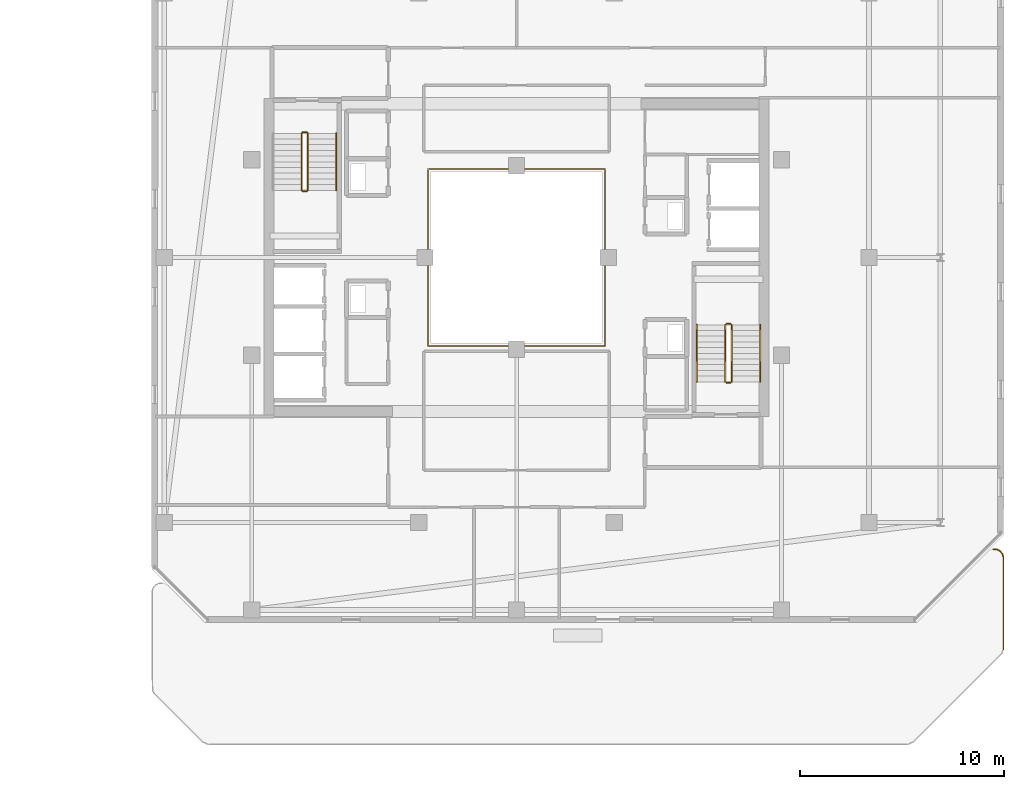
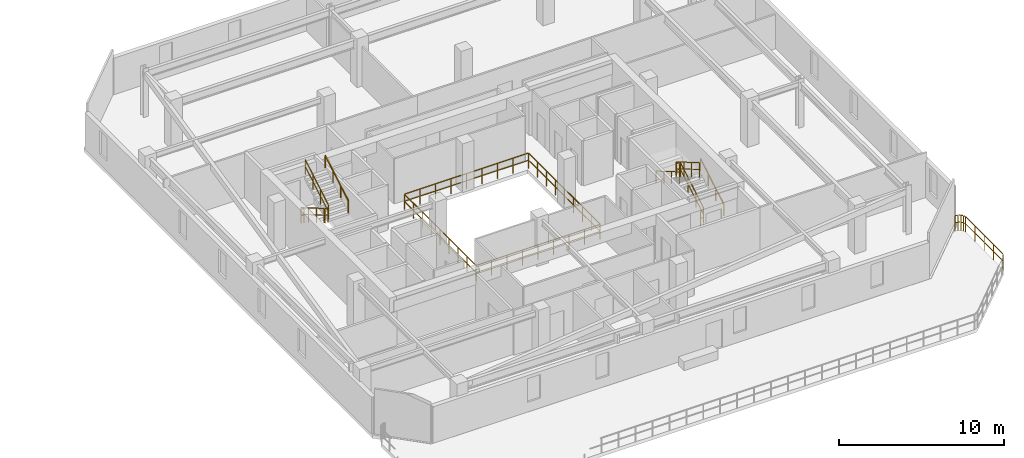
# One storey, part 31 of 31: 13 railings.
"""IFC4 building model written with IfcOpenShell, lengths in metres."""

from ifc_helpers import new_model, si_unit, direction, frame, origin, origin_2d, place, context, subcontext, project, spatial, rectangle, extrude, material, type_object, element, save


model = new_model("IFC4")

# Units and contexts
model_context = context("Model", 3, precision=1e-05, world=origin(), true_north=direction((0.0, 1.0)))
body_context = subcontext(model_context, "Body", "Model", "MODEL_VIEW")
ifc_project = project(units=[si_unit("LENGTHUNIT", "METRE"), si_unit("AREAUNIT", "SQUARE_METRE"), si_unit("VOLUMEUNIT", "CUBIC_METRE"), si_unit("PLANEANGLEUNIT", "RADIAN"), si_unit("MASSUNIT", "GRAM", prefix="KILO")], contexts=[model_context])

# Site, building, storey
site_placement = place(None, origin())
site = spatial("IfcSite", under=ifc_project, at=site_placement, CompositionType="ELEMENT")
building_placement = place(site_placement, origin())
building = spatial("IfcBuilding", under=site, at=building_placement, Name="Thornwick Lancets Civic Towers", CompositionType="ELEMENT")
storey_placement = place(building_placement, frame((0.0, 0.0, 254.699951171875)))
storey = spatial("IfcBuildingStorey", under=building, at=storey_placement, Name="L68", CompositionType="ELEMENT", Elevation=254.699951171875)

# Railings
ifc_material_1 = material(Name="Laminated glass and bronze steel S355", Category="steel")
railing_type_1 = type_object("IfcRailingType", Name="RAIL_ATRIUM_GUARD", PredefinedType="BALUSTRADE", material=ifc_material_1)
railing_1_placement = place(storey_placement, frame((84.159912109375, 22.659912109375, 0.0)))
element("IfcRailing", 1, at=railing_1_placement, inside=storey, type_object=railing_type_1, Name="L68 Tower B Central Atrium Guard Balustrade", PredefinedType="BALUSTRADE", context=body_context, shape_type="SweptSolid", body=[
    extrude(rectangle(XDim=0.048095703125, YDim=0.048095703125, at=origin_2d()), frame((0.0, 0.0, 1.1259765625), z_axis=(1.0, 0.0, 0.0), x_axis=(0.0, 1.0, 0.0)), (0.0, 0.0, 1.0), 8.64892578125),
    extrude(rectangle(XDim=0.0419921875, YDim=0.0419921875, at=origin_2d()), frame((0.03759765625, 0.0, 0.597900390625), z_axis=(1.0, 0.0, 0.0), x_axis=(0.0, 1.0, 0.0)), (0.0, 0.0, 1.0), 1.010009765625),
    extrude(rectangle(XDim=0.0419921875, YDim=0.0419921875, at=origin_2d()), frame((1.12255859375, 0.0, 0.597900390625), z_axis=(1.0, 0.0, 0.0), x_axis=(0.0, 1.0, 0.0)), (0.0, 0.0, 1.0), 1.010009765625),
    extrude(rectangle(XDim=0.0419921875, YDim=0.0419921875, at=origin_2d()), frame((2.20751953125, 0.0, 0.597900390625), z_axis=(1.0, 0.0, 0.0), x_axis=(0.0, 1.0, 0.0)), (0.0, 0.0, 1.0), 1.010009765625),
    extrude(rectangle(XDim=0.0419921875, YDim=0.0419921875, at=origin_2d()), frame((3.29248046875, 0.0, 0.597900390625), z_axis=(1.0, 0.0, 0.0), x_axis=(0.0, 1.0, 0.0)), (0.0, 0.0, 1.0), 1.010009765625),
    extrude(rectangle(XDim=0.0419921875, YDim=0.0419921875, at=origin_2d()), frame((4.377685546875, 0.0, 0.597900390625), z_axis=(1.0, 0.0, 0.0), x_axis=(0.0, 1.0, 0.0)), (0.0, 0.0, 1.0), 1.010009765625),
    extrude(rectangle(XDim=0.0419921875, YDim=0.0419921875, at=origin_2d()), frame((5.462646484375, 0.0, 0.597900390625), z_axis=(1.0, 0.0, 0.0), x_axis=(0.0, 1.0, 0.0)), (0.0, 0.0, 1.0), 1.010009765625),
    extrude(rectangle(XDim=0.0419921875, YDim=0.0419921875, at=origin_2d()), frame((6.547607421875, 0.0, 0.597900390625), z_axis=(1.0, 0.0, 0.0), x_axis=(0.0, 1.0, 0.0)), (0.0, 0.0, 1.0), 1.010009765625),
    extrude(rectangle(XDim=0.0419921875, YDim=0.0419921875, at=origin_2d()), frame((7.632568359375, 0.0, 0.597900390625), z_axis=(1.0, 0.0, 0.0), x_axis=(0.0, 1.0, 0.0)), (0.0, 0.0, 1.0), 1.010009765625),
    extrude(rectangle(XDim=0.048095703125, YDim=0.048095703125, at=origin_2d()), frame((8.68017578125, 0.03125, 1.1259765625), z_axis=(0.0, 1.0, 0.0), x_axis=(-1.0, 0.0, 0.0)), (0.0, 0.0, 1.0), 8.61767578125),
    extrude(rectangle(XDim=0.0419921875, YDim=0.0419921875, at=origin_2d()), frame((8.68017578125, 0.03759765625, 0.597900390625), z_axis=(0.0, 1.0, 0.0), x_axis=(-1.0, 0.0, 0.0)), (0.0, 0.0, 1.0), 1.010009765625),
    extrude(rectangle(XDim=0.0419921875, YDim=0.0419921875, at=origin_2d()), frame((8.68017578125, 1.12255859375, 0.597900390625), z_axis=(0.0, 1.0, 0.0), x_axis=(-1.0, 0.0, 0.0)), (0.0, 0.0, 1.0), 1.010009765625),
    extrude(rectangle(XDim=0.0419921875, YDim=0.0419921875, at=origin_2d()), frame((8.68017578125, 2.20751953125, 0.597900390625), z_axis=(0.0, 1.0, 0.0), x_axis=(-1.0, 0.0, 0.0)), (0.0, 0.0, 1.0), 1.010009765625),
    extrude(rectangle(XDim=0.0419921875, YDim=0.0419921875, at=origin_2d()), frame((8.68017578125, 3.29248046875, 0.597900390625), z_axis=(0.0, 1.0, 0.0), x_axis=(-1.0, 0.0, 0.0)), (0.0, 0.0, 1.0), 1.010009765625),
    extrude(rectangle(XDim=0.0419921875, YDim=0.0419921875, at=origin_2d()), frame((8.68017578125, 4.377685546875, 0.597900390625), z_axis=(0.0, 1.0, 0.0), x_axis=(-1.0, 0.0, 0.0)), (0.0, 0.0, 1.0), 1.010009765625),
    extrude(rectangle(XDim=0.0419921875, YDim=0.0419921875, at=origin_2d()), frame((8.68017578125, 5.462646484375, 0.597900390625), z_axis=(0.0, 1.0, 0.0), x_axis=(-1.0, 0.0, 0.0)), (0.0, 0.0, 1.0), 1.010009765625),
    extrude(rectangle(XDim=0.0419921875, YDim=0.0419921875, at=origin_2d()), frame((8.68017578125, 6.547607421875, 0.597900390625), z_axis=(0.0, 1.0, 0.0), x_axis=(-1.0, 0.0, 0.0)), (0.0, 0.0, 1.0), 1.010009765625),
    extrude(rectangle(XDim=0.0419921875, YDim=0.0419921875, at=origin_2d()), frame((8.68017578125, 7.632568359375, 0.597900390625), z_axis=(0.0, 1.0, 0.0), x_axis=(-1.0, 0.0, 0.0)), (0.0, 0.0, 1.0), 1.010009765625),
    extrude(rectangle(XDim=0.048095703125, YDim=0.048095703125, at=origin_2d()), frame((8.64892578125, 8.68017578125, 1.1259765625), z_axis=(-1.0, 0.0, 0.0), x_axis=(0.0, -1.0, 0.0)), (0.0, 0.0, 1.0), 8.61767578125),
    extrude(rectangle(XDim=0.0419921875, YDim=0.0419921875, at=origin_2d()), frame((8.642578125, 8.68017578125, 0.597900390625), z_axis=(-1.0, 0.0, 0.0), x_axis=(0.0, -1.0, 0.0)), (0.0, 0.0, 1.0), 1.010009765625),
    extrude(rectangle(XDim=0.0419921875, YDim=0.0419921875, at=origin_2d()), frame((7.5576171875, 8.68017578125, 0.597900390625), z_axis=(-1.0, 0.0, 0.0), x_axis=(0.0, -1.0, 0.0)), (0.0, 0.0, 1.0), 1.010009765625),
    extrude(rectangle(XDim=0.0419921875, YDim=0.0419921875, at=origin_2d()), frame((6.47265625, 8.68017578125, 0.597900390625), z_axis=(-1.0, 0.0, 0.0), x_axis=(0.0, -1.0, 0.0)), (0.0, 0.0, 1.0), 1.010009765625),
    extrude(rectangle(XDim=0.0419921875, YDim=0.0419921875, at=origin_2d()), frame((5.3876953125, 8.68017578125, 0.597900390625), z_axis=(-1.0, 0.0, 0.0), x_axis=(0.0, -1.0, 0.0)), (0.0, 0.0, 1.0), 1.010009765625),
    extrude(rectangle(XDim=0.0419921875, YDim=0.0419921875, at=origin_2d()), frame((4.302490234375, 8.68017578125, 0.597900390625), z_axis=(-1.0, 0.0, 0.0), x_axis=(0.0, -1.0, 0.0)), (0.0, 0.0, 1.0), 1.010009765625),
    extrude(rectangle(XDim=0.0419921875, YDim=0.0419921875, at=origin_2d()), frame((3.217529296875, 8.68017578125, 0.597900390625), z_axis=(-1.0, 0.0, 0.0), x_axis=(0.0, -1.0, 0.0)), (0.0, 0.0, 1.0), 1.010009765625),
    extrude(rectangle(XDim=0.0419921875, YDim=0.0419921875, at=origin_2d()), frame((2.132568359375, 8.68017578125, 0.597900390625), z_axis=(-1.0, 0.0, 0.0), x_axis=(0.0, -1.0, 0.0)), (0.0, 0.0, 1.0), 1.010009765625),
    extrude(rectangle(XDim=0.0419921875, YDim=0.0419921875, at=origin_2d()), frame((1.047607421875, 8.68017578125, 0.597900390625), z_axis=(-1.0, 0.0, 0.0), x_axis=(0.0, -1.0, 0.0)), (0.0, 0.0, 1.0), 1.010009765625),
    extrude(rectangle(XDim=0.048095703125, YDim=0.048095703125, at=origin_2d()), frame((0.0, 8.64892578125, 1.1259765625), z_axis=(0.0, -1.0, 0.0), x_axis=(1.0, 0.0, 0.0)), (0.0, 0.0, 1.0), 8.64892578125),
    extrude(rectangle(XDim=0.0419921875, YDim=0.0419921875, at=origin_2d()), frame((0.0, 8.642578125, 0.597900390625), z_axis=(0.0, -1.0, 0.0), x_axis=(1.0, 0.0, 0.0)), (0.0, 0.0, 1.0), 1.010009765625),
    extrude(rectangle(XDim=0.0419921875, YDim=0.0419921875, at=origin_2d()), frame((0.0, 7.5576171875, 0.597900390625), z_axis=(0.0, -1.0, 0.0), x_axis=(1.0, 0.0, 0.0)), (0.0, 0.0, 1.0), 1.010009765625),
    extrude(rectangle(XDim=0.0419921875, YDim=0.0419921875, at=origin_2d()), frame((0.0, 6.47265625, 0.597900390625), z_axis=(0.0, -1.0, 0.0), x_axis=(1.0, 0.0, 0.0)), (0.0, 0.0, 1.0), 1.010009765625),
    extrude(rectangle(XDim=0.0419921875, YDim=0.0419921875, at=origin_2d()), frame((0.0, 5.3876953125, 0.597900390625), z_axis=(0.0, -1.0, 0.0), x_axis=(1.0, 0.0, 0.0)), (0.0, 0.0, 1.0), 1.010009765625),
    extrude(rectangle(XDim=0.0419921875, YDim=0.0419921875, at=origin_2d()), frame((0.0, 4.302490234375, 0.597900390625), z_axis=(0.0, -1.0, 0.0), x_axis=(1.0, 0.0, 0.0)), (0.0, 0.0, 1.0), 1.010009765625),
    extrude(rectangle(XDim=0.0419921875, YDim=0.0419921875, at=origin_2d()), frame((0.0, 3.217529296875, 0.597900390625), z_axis=(0.0, -1.0, 0.0), x_axis=(1.0, 0.0, 0.0)), (0.0, 0.0, 1.0), 1.010009765625),
    extrude(rectangle(XDim=0.0419921875, YDim=0.0419921875, at=origin_2d()), frame((0.0, 2.132568359375, 0.597900390625), z_axis=(0.0, -1.0, 0.0), x_axis=(1.0, 0.0, 0.0)), (0.0, 0.0, 1.0), 1.010009765625),
    extrude(rectangle(XDim=0.0419921875, YDim=0.0419921875, at=origin_2d()), frame((0.0, 1.047607421875, 0.597900390625), z_axis=(0.0, -1.0, 0.0), x_axis=(1.0, 0.0, 0.0)), (0.0, 0.0, 1.0), 1.010009765625),
    extrude(rectangle(XDim=0.0419921875, YDim=0.0419921875, at=origin_2d()), origin(), (0.0, 0.0, 1.0), 1.095703125),
    extrude(rectangle(XDim=0.0419921875, YDim=0.0419921875, at=origin_2d()), frame((1.0849609375, 0.0, 0.0)), (0.0, 0.0, 1.0), 1.095703125),
    extrude(rectangle(XDim=0.0419921875, YDim=0.0419921875, at=origin_2d()), frame((2.169921875, 0.0, 0.0)), (0.0, 0.0, 1.0), 1.095703125),
    extrude(rectangle(XDim=0.0419921875, YDim=0.0419921875, at=origin_2d()), frame((3.255126953125, 0.0, 0.0)), (0.0, 0.0, 1.0), 1.095703125),
    extrude(rectangle(XDim=0.0419921875, YDim=0.0419921875, at=origin_2d()), frame((4.340087890625, 0.0, 0.0)), (0.0, 0.0, 1.0), 1.095703125),
    extrude(rectangle(XDim=0.0419921875, YDim=0.0419921875, at=origin_2d()), frame((5.425048828125, 0.0, 0.0)), (0.0, 0.0, 1.0), 1.095703125),
    extrude(rectangle(XDim=0.0419921875, YDim=0.0419921875, at=origin_2d()), frame((6.51025390625, 0.0, 0.0)), (0.0, 0.0, 1.0), 1.095703125),
    extrude(rectangle(XDim=0.0419921875, YDim=0.0419921875, at=origin_2d()), frame((7.59521484375, 0.0, 0.0)), (0.0, 0.0, 1.0), 1.095703125),
    extrude(rectangle(XDim=0.0419921875, YDim=0.0419921875, at=origin_2d()), frame((8.68017578125, 0.0, 0.0)), (0.0, 0.0, 1.0), 1.095703125),
    extrude(rectangle(XDim=0.0419921875, YDim=0.0419921875, at=origin_2d()), frame((8.68017578125, 1.0849609375, 0.0)), (0.0, 0.0, 1.0), 1.095703125),
    extrude(rectangle(XDim=0.0419921875, YDim=0.0419921875, at=origin_2d()), frame((8.68017578125, 2.169921875, 0.0)), (0.0, 0.0, 1.0), 1.095703125),
    extrude(rectangle(XDim=0.0419921875, YDim=0.0419921875, at=origin_2d()), frame((8.68017578125, 3.255126953125, 0.0)), (0.0, 0.0, 1.0), 1.095703125),
    extrude(rectangle(XDim=0.0419921875, YDim=0.0419921875, at=origin_2d()), frame((8.68017578125, 4.340087890625, 0.0)), (0.0, 0.0, 1.0), 1.095703125),
    extrude(rectangle(XDim=0.0419921875, YDim=0.0419921875, at=origin_2d()), frame((8.68017578125, 5.425048828125, 0.0)), (0.0, 0.0, 1.0), 1.095703125),
    extrude(rectangle(XDim=0.0419921875, YDim=0.0419921875, at=origin_2d()), frame((8.68017578125, 6.51025390625, 0.0)), (0.0, 0.0, 1.0), 1.095703125),
    extrude(rectangle(XDim=0.0419921875, YDim=0.0419921875, at=origin_2d()), frame((8.68017578125, 7.59521484375, 0.0)), (0.0, 0.0, 1.0), 1.095703125),
    extrude(rectangle(XDim=0.0419921875, YDim=0.0419921875, at=origin_2d()), frame((8.68017578125, 8.68017578125, 0.0)), (0.0, 0.0, 1.0), 1.095703125),
    extrude(rectangle(XDim=0.0419921875, YDim=0.0419921875, at=origin_2d()), frame((7.59521484375, 8.68017578125, 0.0)), (0.0, 0.0, 1.0), 1.095703125),
    extrude(rectangle(XDim=0.0419921875, YDim=0.0419921875, at=origin_2d()), frame((6.51025390625, 8.68017578125, 0.0)), (0.0, 0.0, 1.0), 1.095703125),
    extrude(rectangle(XDim=0.0419921875, YDim=0.0419921875, at=origin_2d()), frame((5.425048828125, 8.68017578125, 0.0)), (0.0, 0.0, 1.0), 1.095703125),
    extrude(rectangle(XDim=0.0419921875, YDim=0.0419921875, at=origin_2d()), frame((4.340087890625, 8.68017578125, 0.0)), (0.0, 0.0, 1.0), 1.095703125),
    extrude(rectangle(XDim=0.0419921875, YDim=0.0419921875, at=origin_2d()), frame((3.255126953125, 8.68017578125, 0.0)), (0.0, 0.0, 1.0), 1.095703125),
    extrude(rectangle(XDim=0.0419921875, YDim=0.0419921875, at=origin_2d()), frame((2.169921875, 8.68017578125, 0.0)), (0.0, 0.0, 1.0), 1.095703125),
    extrude(rectangle(XDim=0.0419921875, YDim=0.0419921875, at=origin_2d()), frame((1.0849609375, 8.68017578125, 0.0)), (0.0, 0.0, 1.0), 1.095703125),
    extrude(rectangle(XDim=0.0419921875, YDim=0.0419921875, at=origin_2d()), frame((0.0, 8.68017578125, 0.0)), (0.0, 0.0, 1.0), 1.095703125),
    extrude(rectangle(XDim=0.0419921875, YDim=0.0419921875, at=origin_2d()), frame((0.0, 7.59521484375, 0.0)), (0.0, 0.0, 1.0), 1.095703125),
    extrude(rectangle(XDim=0.0419921875, YDim=0.0419921875, at=origin_2d()), frame((0.0, 6.51025390625, 0.0)), (0.0, 0.0, 1.0), 1.095703125),
    extrude(rectangle(XDim=0.0419921875, YDim=0.0419921875, at=origin_2d()), frame((0.0, 5.425048828125, 0.0)), (0.0, 0.0, 1.0), 1.095703125),
    extrude(rectangle(XDim=0.0419921875, YDim=0.0419921875, at=origin_2d()), frame((0.0, 4.340087890625, 0.0)), (0.0, 0.0, 1.0), 1.095703125),
    extrude(rectangle(XDim=0.0419921875, YDim=0.0419921875, at=origin_2d()), frame((0.0, 3.255126953125, 0.0)), (0.0, 0.0, 1.0), 1.095703125),
    extrude(rectangle(XDim=0.0419921875, YDim=0.0419921875, at=origin_2d()), frame((0.0, 2.169921875, 0.0)), (0.0, 0.0, 1.0), 1.095703125),
    extrude(rectangle(XDim=0.0419921875, YDim=0.0419921875, at=origin_2d()), frame((0.0, 1.0849609375, 0.0)), (0.0, 0.0, 1.0), 1.095703125),
])
ifc_material_2 = material(Name="Brushed stainless steel S355", Category="steel")
railing_type_2 = type_object("IfcRailingType", Name="RAIL_HANDRAIL", PredefinedType="HANDRAIL", material=ifc_material_2)
railing_2_placement = place(storey_placement, frame((100.449951171875, 20.89990234375, 0.16357421875)))
element("IfcRailing", 2, at=railing_2_placement, inside=storey, type_object=railing_type_2, Name="L68 ST-B1 stair handrail 1", PredefinedType="HANDRAIL", context=body_context, shape_type="SweptSolid", body=[
    extrude(rectangle(XDim=0.048095703125, YDim=0.048095703125, at=origin_2d()), frame((0.0, 0.0, 0.8857421875), z_axis=(0.0, 0.863360870873, 0.504586966384), x_axis=(-1.0, 0.0, 0.0)), (0.0, 0.0, 1.0), 3.2431640625),
    extrude(rectangle(XDim=0.0419921875, YDim=0.0419921875, at=origin_2d()), origin(), (0.0, 0.0, 1.0), 0.855712890625),
    extrude(rectangle(XDim=0.0419921875, YDim=0.0419921875, at=origin_2d()), frame((0.0, 0.933349609375, 0.54541015625)), (0.0, 0.0, 1.0), 0.855712890625),
    extrude(rectangle(XDim=0.0419921875, YDim=0.0419921875, at=origin_2d()), frame((0.0, 1.86669921875, 1.091064453125)), (0.0, 0.0, 1.0), 0.855712890625),
    extrude(rectangle(XDim=0.0419921875, YDim=0.0419921875, at=origin_2d()), frame((0.0, 2.800048828125, 1.636474609375)), (0.0, 0.0, 1.0), 0.855712890625),
])
railing_3_placement = place(storey_placement, frame((97.35009765625, 23.699951171875, 1.963623046875)))
element("IfcRailing", 3, at=railing_3_placement, inside=storey, type_object=railing_type_2, Name="L68 ST-B1 stair handrail 2", PredefinedType="HANDRAIL", context=body_context, shape_type="SweptSolid", body=[
    extrude(rectangle(XDim=0.048095703125, YDim=0.048095703125, at=origin_2d()), frame((0.0, 0.0, 0.8857421875), z_axis=(0.0, -0.863360870873, 0.504586966384), x_axis=(1.0, 0.0, 0.0)), (0.0, 0.0, 1.0), 3.2431640625),
    extrude(rectangle(XDim=0.0419921875, YDim=0.0419921875, at=origin_2d()), origin(), (0.0, 0.0, 1.0), 0.855712890625),
    extrude(rectangle(XDim=0.0419921875, YDim=0.0419921875, at=origin_2d()), frame((0.0, -0.933349609375, 0.54541015625)), (0.0, 0.0, 1.0), 0.855712890625),
    extrude(rectangle(XDim=0.0419921875, YDim=0.0419921875, at=origin_2d()), frame((0.0, -1.86669921875, 1.091064453125)), (0.0, 0.0, 1.0), 0.855712890625),
    extrude(rectangle(XDim=0.0419921875, YDim=0.0419921875, at=origin_2d()), frame((0.0, -2.800048828125, 1.636474609375)), (0.0, 0.0, 1.0), 0.855712890625),
])
railing_4_placement = place(storey_placement, frame((79.64990234375, 30.300048828125, 1.963623046875)))
element("IfcRailing", 4, at=railing_4_placement, inside=storey, type_object=railing_type_2, Name="L68 ST-B2 stair handrail 2", PredefinedType="HANDRAIL", context=body_context, shape_type="SweptSolid", body=[
    extrude(rectangle(XDim=0.048095703125, YDim=0.048095703125, at=origin_2d()), frame((0.0, 0.0, 0.8857421875), z_axis=(0.0, 0.863360870873, 0.504586966384), x_axis=(-1.0, 0.0, 0.0)), (0.0, 0.0, 1.0), 3.2431640625),
    extrude(rectangle(XDim=0.0419921875, YDim=0.0419921875, at=origin_2d()), origin(), (0.0, 0.0, 1.0), 0.855712890625),
    extrude(rectangle(XDim=0.0419921875, YDim=0.0419921875, at=origin_2d()), frame((0.0, 0.933349609375, 0.54541015625)), (0.0, 0.0, 1.0), 0.855712890625),
    extrude(rectangle(XDim=0.0419921875, YDim=0.0419921875, at=origin_2d()), frame((0.0, 1.86669921875, 1.091064453125)), (0.0, 0.0, 1.0), 0.855712890625),
    extrude(rectangle(XDim=0.0419921875, YDim=0.0419921875, at=origin_2d()), frame((0.0, 2.800048828125, 1.636474609375)), (0.0, 0.0, 1.0), 0.855712890625),
])
ifc_material_3 = material(Name="Steel S355JR", Category="steel")
railing_type_3 = type_object("IfcRailingType", Name="RAIL_STAIR_GUARD", PredefinedType="GUARDRAIL", material=ifc_material_3)
railing_5_placement = place(storey_placement, frame((99.050048828125, 20.89990234375, 0.16357421875)))
element("IfcRailing", 5, at=railing_5_placement, inside=storey, type_object=railing_type_3, Name="L68 ST-B1 stair guard 1", PredefinedType="GUARDRAIL", context=body_context, shape_type="SweptSolid", body=[
    extrude(rectangle(XDim=0.048095703125, YDim=0.048095703125, at=origin_2d()), frame((0.0, 0.0, 1.076171875), z_axis=(0.0, 0.863360870873, 0.504586966384), x_axis=(-1.0, 0.0, 0.0)), (0.0, 0.0, 1.0), 3.2431640625),
    extrude(rectangle(XDim=0.0419921875, YDim=0.0419921875, at=origin_2d()), frame((0.0, 0.032470703125, 0.591064453125), z_axis=(0.0, 0.863360870873, 0.504586966384), x_axis=(-1.0, 0.0, 0.0)), (0.0, 0.0, 1.0), 1.006103515625),
    extrude(rectangle(XDim=0.0419921875, YDim=0.0419921875, at=origin_2d()), frame((0.0, 0.9658203125, 1.136474609375), z_axis=(0.0, 0.863360870873, 0.504586966384), x_axis=(-1.0, 0.0, 0.0)), (0.0, 0.0, 1.0), 1.006103515625),
    extrude(rectangle(XDim=0.0419921875, YDim=0.0419921875, at=origin_2d()), frame((0.0, 1.899169921875, 1.681884765625), z_axis=(0.0, 0.863360870873, 0.504586966384), x_axis=(-1.0, 0.0, 0.0)), (0.0, 0.0, 1.0), 1.006103515625),
    extrude(rectangle(XDim=0.0419921875, YDim=0.0419921875, at=origin_2d()), origin(), (0.0, 0.0, 1.0), 1.0458984375),
    extrude(rectangle(XDim=0.0419921875, YDim=0.0419921875, at=origin_2d()), frame((0.0, 0.933349609375, 0.54541015625)), (0.0, 0.0, 1.0), 1.0458984375),
    extrude(rectangle(XDim=0.0419921875, YDim=0.0419921875, at=origin_2d()), frame((0.0, 1.86669921875, 1.091064453125)), (0.0, 0.0, 1.0), 1.0458984375),
    extrude(rectangle(XDim=0.0419921875, YDim=0.0419921875, at=origin_2d()), frame((0.0, 2.800048828125, 1.636474609375)), (0.0, 0.0, 1.0), 1.0458984375),
])
railing_6_placement = place(storey_placement, frame((99.0, 23.75, 1.800048828125)))
element("IfcRailing", 6, at=railing_6_placement, inside=storey, type_object=railing_type_3, Name="L68 ST-B1 stair guard 2", PredefinedType="GUARDRAIL", context=body_context, shape_type="SweptSolid", body=[
    extrude(rectangle(XDim=0.048095703125, YDim=0.048095703125, at=origin_2d()), frame((0.0, 0.0, 1.076171875), z_axis=(-1.0, 0.0, 0.0), x_axis=(0.0, -1.0, 0.0)), (0.0, 0.0, 1.0), 0.199951171875),
    extrude(rectangle(XDim=0.0419921875, YDim=0.0419921875, at=origin_2d()), frame((-0.03759765625, 0.0, 0.572021484375), z_axis=(-1.0, 0.0, 0.0), x_axis=(0.0, -1.0, 0.0)), (0.0, 0.0, 1.0), 0.125),
    extrude(rectangle(XDim=0.0419921875, YDim=0.0419921875, at=origin_2d()), origin(), (0.0, 0.0, 1.0), 1.0458984375),
    extrude(rectangle(XDim=0.0419921875, YDim=0.0419921875, at=origin_2d()), frame((-0.199951171875, 0.0, 0.0)), (0.0, 0.0, 1.0), 1.0458984375),
])
railing_7_placement = place(storey_placement, frame((98.75, 23.699951171875, 1.963623046875)))
element("IfcRailing", 7, at=railing_7_placement, inside=storey, type_object=railing_type_3, Name="L68 ST-B1 stair guard 3", PredefinedType="GUARDRAIL", context=body_context, shape_type="SweptSolid", body=[
    extrude(rectangle(XDim=0.048095703125, YDim=0.048095703125, at=origin_2d()), frame((0.0, 0.0, 1.076171875), z_axis=(0.0, -0.863360870873, 0.504586966384), x_axis=(1.0, 0.0, 0.0)), (0.0, 0.0, 1.0), 3.2431640625),
    extrude(rectangle(XDim=0.0419921875, YDim=0.0419921875, at=origin_2d()), frame((0.0, -0.032470703125, 0.591064453125), z_axis=(0.0, -0.863360870873, 0.504586966384), x_axis=(1.0, 0.0, 0.0)), (0.0, 0.0, 1.0), 1.006103515625),
    extrude(rectangle(XDim=0.0419921875, YDim=0.0419921875, at=origin_2d()), frame((0.0, -0.9658203125, 1.136474609375), z_axis=(0.0, -0.863360870873, 0.504586966384), x_axis=(1.0, 0.0, 0.0)), (0.0, 0.0, 1.0), 1.006103515625),
    extrude(rectangle(XDim=0.0419921875, YDim=0.0419921875, at=origin_2d()), frame((0.0, -1.899169921875, 1.681884765625), z_axis=(0.0, -0.863360870873, 0.504586966384), x_axis=(1.0, 0.0, 0.0)), (0.0, 0.0, 1.0), 1.006103515625),
    extrude(rectangle(XDim=0.0419921875, YDim=0.0419921875, at=origin_2d()), origin(), (0.0, 0.0, 1.0), 1.0458984375),
    extrude(rectangle(XDim=0.0419921875, YDim=0.0419921875, at=origin_2d()), frame((0.0, -0.933349609375, 0.54541015625)), (0.0, 0.0, 1.0), 1.0458984375),
    extrude(rectangle(XDim=0.0419921875, YDim=0.0419921875, at=origin_2d()), frame((0.0, -1.86669921875, 1.091064453125)), (0.0, 0.0, 1.0), 1.0458984375),
    extrude(rectangle(XDim=0.0419921875, YDim=0.0419921875, at=origin_2d()), frame((0.0, -2.800048828125, 1.636474609375)), (0.0, 0.0, 1.0), 1.0458984375),
])
railing_8_placement = place(storey_placement, frame((99.0, 20.85009765625, 0.0)))
element("IfcRailing", 8, at=railing_8_placement, inside=storey, type_object=railing_type_3, Name="L68 ST-B1 stair guard 4", PredefinedType="GUARDRAIL", context=body_context, shape_type="SweptSolid", body=[
    extrude(rectangle(XDim=0.048095703125, YDim=0.048095703125, at=origin_2d()), frame((0.0, 0.0, 1.076171875), z_axis=(-1.0, 0.0, 0.0), x_axis=(0.0, -1.0, 0.0)), (0.0, 0.0, 1.0), 0.199951171875),
    extrude(rectangle(XDim=0.0419921875, YDim=0.0419921875, at=origin_2d()), frame((-0.03759765625, 0.0, 0.572021484375), z_axis=(-1.0, 0.0, 0.0), x_axis=(0.0, -1.0, 0.0)), (0.0, 0.0, 1.0), 0.125),
    extrude(rectangle(XDim=0.0419921875, YDim=0.0419921875, at=origin_2d()), origin(), (0.0, 0.0, 1.0), 1.0458984375),
    extrude(rectangle(XDim=0.0419921875, YDim=0.0419921875, at=origin_2d()), frame((-0.199951171875, 0.0, 0.0)), (0.0, 0.0, 1.0), 1.0458984375),
])
railing_9_placement = place(storey_placement, frame((77.949951171875, 33.10009765625, 0.16357421875)))
element("IfcRailing", 9, at=railing_9_placement, inside=storey, type_object=railing_type_3, Name="L68 ST-B2 stair guard 1", PredefinedType="GUARDRAIL", context=body_context, shape_type="SweptSolid", body=[
    extrude(rectangle(XDim=0.048095703125, YDim=0.048095703125, at=origin_2d()), frame((0.0, 0.0, 1.076171875), z_axis=(0.0, -0.863360870873, 0.504586966384), x_axis=(1.0, 0.0, 0.0)), (0.0, 0.0, 1.0), 3.2431640625),
    extrude(rectangle(XDim=0.0419921875, YDim=0.0419921875, at=origin_2d()), frame((0.0, -0.032470703125, 0.591064453125), z_axis=(0.0, -0.863360870873, 0.504586966384), x_axis=(1.0, 0.0, 0.0)), (0.0, 0.0, 1.0), 1.006103515625),
    extrude(rectangle(XDim=0.0419921875, YDim=0.0419921875, at=origin_2d()), frame((0.0, -0.9658203125, 1.136474609375), z_axis=(0.0, -0.863360870873, 0.504586966384), x_axis=(1.0, 0.0, 0.0)), (0.0, 0.0, 1.0), 1.006103515625),
    extrude(rectangle(XDim=0.0419921875, YDim=0.0419921875, at=origin_2d()), frame((0.0, -1.899169921875, 1.681884765625), z_axis=(0.0, -0.863360870873, 0.504586966384), x_axis=(1.0, 0.0, 0.0)), (0.0, 0.0, 1.0), 1.006103515625),
    extrude(rectangle(XDim=0.0419921875, YDim=0.0419921875, at=origin_2d()), origin(), (0.0, 0.0, 1.0), 1.0458984375),
    extrude(rectangle(XDim=0.0419921875, YDim=0.0419921875, at=origin_2d()), frame((0.0, -0.933349609375, 0.54541015625)), (0.0, 0.0, 1.0), 1.0458984375),
    extrude(rectangle(XDim=0.0419921875, YDim=0.0419921875, at=origin_2d()), frame((0.0, -1.86669921875, 1.091064453125)), (0.0, 0.0, 1.0), 1.0458984375),
    extrude(rectangle(XDim=0.0419921875, YDim=0.0419921875, at=origin_2d()), frame((0.0, -2.800048828125, 1.636474609375)), (0.0, 0.0, 1.0), 1.0458984375),
])
railing_10_placement = place(storey_placement, frame((78.0, 30.25, 1.800048828125)))
element("IfcRailing", 10, at=railing_10_placement, inside=storey, type_object=railing_type_3, Name="L68 ST-B2 stair guard 2", PredefinedType="GUARDRAIL", context=body_context, shape_type="SweptSolid", body=[
    extrude(rectangle(XDim=0.048095703125, YDim=0.048095703125, at=origin_2d()), frame((0.0, 0.0, 1.076171875), z_axis=(1.0, 0.0, 0.0), x_axis=(0.0, 1.0, 0.0)), (0.0, 0.0, 1.0), 0.199951171875),
    extrude(rectangle(XDim=0.0419921875, YDim=0.0419921875, at=origin_2d()), frame((0.03759765625, 0.0, 0.572021484375), z_axis=(1.0, 0.0, 0.0), x_axis=(0.0, 1.0, 0.0)), (0.0, 0.0, 1.0), 0.125),
    extrude(rectangle(XDim=0.0419921875, YDim=0.0419921875, at=origin_2d()), origin(), (0.0, 0.0, 1.0), 1.0458984375),
    extrude(rectangle(XDim=0.0419921875, YDim=0.0419921875, at=origin_2d()), frame((0.199951171875, 0.0, 0.0)), (0.0, 0.0, 1.0), 1.0458984375),
])
railing_11_placement = place(storey_placement, frame((78.25, 30.300048828125, 1.963623046875)))
element("IfcRailing", 11, at=railing_11_placement, inside=storey, type_object=railing_type_3, Name="L68 ST-B2 stair guard 3", PredefinedType="GUARDRAIL", context=body_context, shape_type="SweptSolid", body=[
    extrude(rectangle(XDim=0.048095703125, YDim=0.048095703125, at=origin_2d()), frame((0.0, 0.0, 1.076171875), z_axis=(0.0, 0.863360870873, 0.504586966384), x_axis=(-1.0, 0.0, 0.0)), (0.0, 0.0, 1.0), 3.2431640625),
    extrude(rectangle(XDim=0.0419921875, YDim=0.0419921875, at=origin_2d()), frame((0.0, 0.032470703125, 0.591064453125), z_axis=(0.0, 0.863360870873, 0.504586966384), x_axis=(-1.0, 0.0, 0.0)), (0.0, 0.0, 1.0), 1.006103515625),
    extrude(rectangle(XDim=0.0419921875, YDim=0.0419921875, at=origin_2d()), frame((0.0, 0.9658203125, 1.136474609375), z_axis=(0.0, 0.863360870873, 0.504586966384), x_axis=(-1.0, 0.0, 0.0)), (0.0, 0.0, 1.0), 1.006103515625),
    extrude(rectangle(XDim=0.0419921875, YDim=0.0419921875, at=origin_2d()), frame((0.0, 1.899169921875, 1.681884765625), z_axis=(0.0, 0.863360870873, 0.504586966384), x_axis=(-1.0, 0.0, 0.0)), (0.0, 0.0, 1.0), 1.006103515625),
    extrude(rectangle(XDim=0.0419921875, YDim=0.0419921875, at=origin_2d()), origin(), (0.0, 0.0, 1.0), 1.0458984375),
    extrude(rectangle(XDim=0.0419921875, YDim=0.0419921875, at=origin_2d()), frame((0.0, 0.933349609375, 0.54541015625)), (0.0, 0.0, 1.0), 1.0458984375),
    extrude(rectangle(XDim=0.0419921875, YDim=0.0419921875, at=origin_2d()), frame((0.0, 1.86669921875, 1.091064453125)), (0.0, 0.0, 1.0), 1.0458984375),
    extrude(rectangle(XDim=0.0419921875, YDim=0.0419921875, at=origin_2d()), frame((0.0, 2.800048828125, 1.636474609375)), (0.0, 0.0, 1.0), 1.0458984375),
])
railing_12_placement = place(storey_placement, frame((78.0, 33.14990234375, 0.0)))
element("IfcRailing", 12, at=railing_12_placement, inside=storey, type_object=railing_type_3, Name="L68 ST-B2 stair guard 4", PredefinedType="GUARDRAIL", context=body_context, shape_type="SweptSolid", body=[
    extrude(rectangle(XDim=0.048095703125, YDim=0.048095703125, at=origin_2d()), frame((0.0, 0.0, 1.076171875), z_axis=(1.0, 0.0, 0.0), x_axis=(0.0, 1.0, 0.0)), (0.0, 0.0, 1.0), 0.199951171875),
    extrude(rectangle(XDim=0.0419921875, YDim=0.0419921875, at=origin_2d()), frame((0.03759765625, 0.0, 0.572021484375), z_axis=(1.0, 0.0, 0.0), x_axis=(0.0, 1.0, 0.0)), (0.0, 0.0, 1.0), 0.125),
    extrude(rectangle(XDim=0.0419921875, YDim=0.0419921875, at=origin_2d()), origin(), (0.0, 0.0, 1.0), 1.0458984375),
    extrude(rectangle(XDim=0.0419921875, YDim=0.0419921875, at=origin_2d()), frame((0.199951171875, 0.0, 0.0)), (0.0, 0.0, 1.0), 1.0458984375),
])
ifc_material_4 = material(Name="Terracotta-capped laminated glass balustrade S355", Category="masonry")
railing_type_4 = type_object("IfcRailingType", Name="RAIL_TERR_GUARD", PredefinedType="GUARDRAIL", material=ifc_material_4)
railing_13_placement = place(storey_placement, frame((111.90234375, 12.694580078125, 0.0)))
element("IfcRailing", 13, at=railing_13_placement, inside=storey, type_object=railing_type_4, Name="L68 Tower B Sky-Garden Guard 1 Part 2", PredefinedType="GUARDRAIL", context=body_context, shape_type="SweptSolid", body=[
    extrude(rectangle(XDim=0.048095703125, YDim=0.048095703125, at=origin_2d()), frame((0.0, 0.0, 1.1259765625), z_axis=(0.995689506528, -0.092749159512, 0.0), x_axis=(0.092749159512, 0.995689506528, 0.0)), (0.0, 0.0, 1.0), 0.147705078125),
    extrude(rectangle(XDim=0.0419921875, YDim=0.0419921875, at=origin_2d()), frame((0.037353515625, -0.00341796875, 0.597900390625), z_axis=(0.995689506528, -0.092749159512, 0.0), x_axis=(0.092749159512, 0.995689506528, 0.0)), (0.0, 0.0, 1.0), 0.10400390625),
    extrude(rectangle(XDim=0.048095703125, YDim=0.048095703125, at=origin_2d()), frame((0.205810546875, -0.03125, 1.1259765625), z_axis=(0.882160586654, -0.470948722639, 0.0), x_axis=(0.470948722639, 0.882160586654, 0.0)), (0.0, 0.0, 1.0), 0.11328125),
    extrude(rectangle(XDim=0.0419921875, YDim=0.0419921875, at=origin_2d()), frame((0.211181640625, -0.0341796875, 0.597900390625), z_axis=(0.882160586654, -0.470948722639, 0.0), x_axis=(0.470948722639, 0.882160586654, 0.0)), (0.0, 0.0, 1.0), 0.100830078125),
    extrude(rectangle(XDim=0.048095703125, YDim=0.048095703125, at=origin_2d()), frame((0.35302734375, -0.12353515625, 1.1259765625), z_axis=(0.634146109242, -0.773213238462, 0.0), x_axis=(0.773213238462, 0.634146109242, 0.0)), (0.0, 0.0, 1.0), 0.113037109375),
    extrude(rectangle(XDim=0.0419921875, YDim=0.0419921875, at=origin_2d()), frame((0.35693359375, -0.12841796875, 0.597900390625), z_axis=(0.634146109242, -0.773213238462, 0.0), x_axis=(0.773213238462, 0.634146109242, 0.0)), (0.0, 0.0, 1.0), 0.1005859375),
    extrude(rectangle(XDim=0.048095703125, YDim=0.048095703125, at=origin_2d()), frame((0.45361328125, -0.26513671875, 1.1259765625), z_axis=(0.289389501276, -0.957211427299, 0.0), x_axis=(0.957211427299, 0.289389501276, 0.0)), (0.0, 0.0, 1.0), 0.113037109375),
    extrude(rectangle(XDim=0.0419921875, YDim=0.0419921875, at=origin_2d()), frame((0.455322265625, -0.27099609375, 0.597900390625), z_axis=(0.289389501276, -0.957211427299, 0.0), x_axis=(0.957211427299, 0.289389501276, 0.0)), (0.0, 0.0, 1.0), 0.1005859375),
    extrude(rectangle(XDim=0.048095703125, YDim=0.048095703125, at=origin_2d()), frame((0.495361328125, -0.434326171875, 1.1259765625), z_axis=(0.0, -1.0, 0.0), x_axis=(1.0, 0.0, 0.0)), (0.0, 0.0, 1.0), 4.47998046875),
    extrude(rectangle(XDim=0.0419921875, YDim=0.0419921875, at=origin_2d()), frame((0.495361328125, -0.440673828125, 0.597900390625), z_axis=(0.0, -1.0, 0.0), x_axis=(1.0, 0.0, 0.0)), (0.0, 0.0, 1.0), 1.052734375),
    extrude(rectangle(XDim=0.0419921875, YDim=0.0419921875, at=origin_2d()), frame((0.495361328125, -1.568359375, 0.597900390625), z_axis=(0.0, -1.0, 0.0), x_axis=(1.0, 0.0, 0.0)), (0.0, 0.0, 1.0), 1.052734375),
    extrude(rectangle(XDim=0.0419921875, YDim=0.0419921875, at=origin_2d()), frame((0.495361328125, -2.6962890625, 0.597900390625), z_axis=(0.0, -1.0, 0.0), x_axis=(1.0, 0.0, 0.0)), (0.0, 0.0, 1.0), 1.052734375),
    extrude(rectangle(XDim=0.0419921875, YDim=0.0419921875, at=origin_2d()), frame((0.495361328125, -3.823974609375, 0.597900390625), z_axis=(0.0, -1.0, 0.0), x_axis=(1.0, 0.0, 0.0)), (0.0, 0.0, 1.0), 1.052734375),
    extrude(rectangle(XDim=0.0419921875, YDim=0.0419921875, at=origin_2d()), origin(), (0.0, 0.0, 1.0), 1.095703125),
    extrude(rectangle(XDim=0.0419921875, YDim=0.0419921875, at=origin_2d()), frame((0.17822265625, -0.0166015625, 0.0)), (0.0, 0.0, 1.0), 1.095703125),
    extrude(rectangle(XDim=0.0419921875, YDim=0.0419921875, at=origin_2d()), frame((0.333251953125, -0.099365234375, 0.0)), (0.0, 0.0, 1.0), 1.095703125),
    extrude(rectangle(XDim=0.0419921875, YDim=0.0419921875, at=origin_2d()), frame((0.444580078125, -0.235107421875, 0.0)), (0.0, 0.0, 1.0), 1.095703125),
    extrude(rectangle(XDim=0.0419921875, YDim=0.0419921875, at=origin_2d()), frame((0.495361328125, -0.403076171875, 0.0)), (0.0, 0.0, 1.0), 1.095703125),
    extrude(rectangle(XDim=0.0419921875, YDim=0.0419921875, at=origin_2d()), frame((0.495361328125, -1.53076171875, 0.0)), (0.0, 0.0, 1.0), 1.095703125),
    extrude(rectangle(XDim=0.0419921875, YDim=0.0419921875, at=origin_2d()), frame((0.495361328125, -2.65869140625, 0.0)), (0.0, 0.0, 1.0), 1.095703125),
    extrude(rectangle(XDim=0.0419921875, YDim=0.0419921875, at=origin_2d()), frame((0.495361328125, -3.78662109375, 0.0)), (0.0, 0.0, 1.0), 1.095703125),
    extrude(rectangle(XDim=0.0419921875, YDim=0.0419921875, at=origin_2d()), frame((0.495361328125, -4.914306640625, 0.0)), (0.0, 0.0, 1.0), 1.095703125),
])

save(model, "model.ifc")
